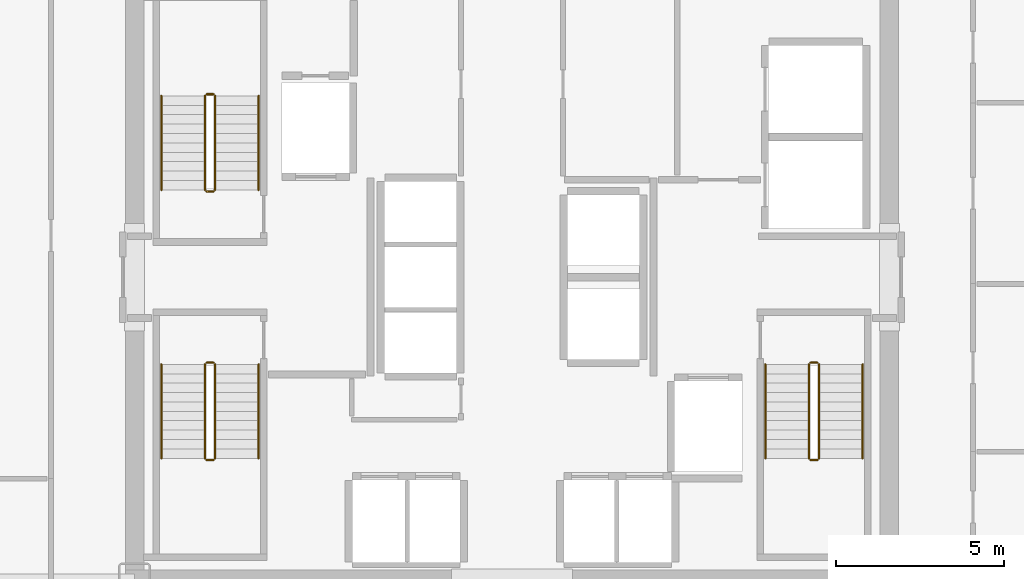
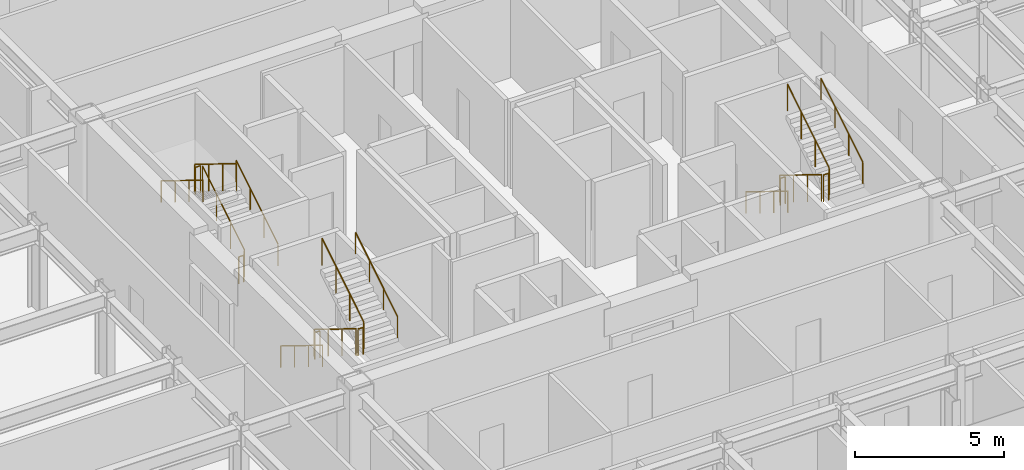
# One storey, part 23 of 23: 18 railings.
"""IFC4 building model written with IfcOpenShell, lengths in metres."""

from ifc_helpers import new_model, si_unit, direction, frame, origin, origin_2d, place, context, subcontext, project, spatial, circle, extrude, material, type_object, element, save


model = new_model("IFC4")

# Units and contexts
model_context = context("Model", 3, precision=1e-05, world=origin(), true_north=direction((0.0, 1.0)))
body_context = subcontext(model_context, "Body", "Model", "MODEL_VIEW")
ifc_project = project(units=[si_unit("LENGTHUNIT", "METRE"), si_unit("AREAUNIT", "SQUARE_METRE"), si_unit("VOLUMEUNIT", "CUBIC_METRE"), si_unit("PLANEANGLEUNIT", "RADIAN"), si_unit("MASSUNIT", "GRAM", prefix="KILO")], contexts=[model_context])

# Site, building, storey
site_placement = place(None, origin())
site = spatial("IfcSite", under=ifc_project, at=site_placement, CompositionType="ELEMENT")
building_placement = place(site_placement, origin())
building = spatial("IfcBuilding", under=site, at=building_placement, Name="Nefas-Gora Pilgrimage Tower", CompositionType="ELEMENT")
storey_placement = place(building_placement, frame((0.0, 0.0, 175.39990234375)))
storey = spatial("IfcBuildingStorey", under=building, at=storey_placement, Name="L43", CompositionType="ELEMENT", Elevation=175.39990234375)

# Railings
ifc_material_1 = material(Name="Painted galvanised steel", Category="steel")
railing_type_1 = type_object("IfcRailingType", Name="RLG-STR-GUARD-1100", PredefinedType="GUARDRAIL", material=ifc_material_1)
railing_1_placement = place(storey_placement, frame((-8.85009765625, 2.60009765625, 0.1728515625)))
element("IfcRailing", 1, at=railing_1_placement, inside=storey, type_object=railing_type_1, Name="L43 ST-01 stair guard 1", PredefinedType="GUARDRAIL", context=body_context, shape_type="SweptSolid", body=[
    extrude(circle(Radius=0.02392578125, at=origin_2d()), frame((0.0, 0.0, 1.09619140625), z_axis=(0.0, 0.851069175582, 0.525053576669), x_axis=(-1.0, 0.0, 0.0)), (0.0, 0.0, 1.0), 3.289794921875),
    extrude(circle(Radius=0.02099609375, at=origin_2d()), origin(), (0.0, 0.0, 1.0), 1.072021484375),
    extrude(circle(Radius=0.02099609375, at=origin_2d()), frame((0.0, 0.933349609375, 0.57568359375)), (0.0, 0.0, 1.0), 1.072021484375),
    extrude(circle(Radius=0.02099609375, at=origin_2d()), frame((0.0, 1.866455078125, 1.151611328125)), (0.0, 0.0, 1.0), 1.072021484375),
    extrude(circle(Radius=0.02099609375, at=origin_2d()), frame((0.0, 2.7998046875, 1.727294921875)), (0.0, 0.0, 1.0), 1.072021484375),
])
railing_2_placement = place(storey_placement, frame((-8.89990234375, 5.449951171875, 1.900146484375)))
element("IfcRailing", 2, at=railing_2_placement, inside=storey, type_object=railing_type_1, Name="L43 ST-01 stair guard 2", PredefinedType="GUARDRAIL", context=body_context, shape_type="SweptSolid", body=[
    extrude(circle(Radius=0.02392578125, at=origin_2d()), frame((0.0, 0.0, 1.09619140625), z_axis=(-1.0, 0.0, 0.0), x_axis=(0.0, -1.0, 0.0)), (0.0, 0.0, 1.0), 0.2001953125),
    extrude(circle(Radius=0.02099609375, at=origin_2d()), origin(), (0.0, 0.0, 1.0), 1.072021484375),
    extrude(circle(Radius=0.02099609375, at=origin_2d()), frame((-0.2001953125, 0.0, 0.0)), (0.0, 0.0, 1.0), 1.072021484375),
])
railing_3_placement = place(storey_placement, frame((-9.14990234375, 5.39990234375, 2.07275390625)))
element("IfcRailing", 3, at=railing_3_placement, inside=storey, type_object=railing_type_1, Name="L43 ST-01 stair guard 3", PredefinedType="GUARDRAIL", context=body_context, shape_type="SweptSolid", body=[
    extrude(circle(Radius=0.02392578125, at=origin_2d()), frame((0.0, 0.0, 1.09619140625), z_axis=(0.0, -0.851069175582, 0.525053576669), x_axis=(1.0, 0.0, 0.0)), (0.0, 0.0, 1.0), 3.289794921875),
    extrude(circle(Radius=0.02099609375, at=origin_2d()), origin(), (0.0, 0.0, 1.0), 1.072021484375),
    extrude(circle(Radius=0.02099609375, at=origin_2d()), frame((0.0, -0.933349609375, 0.57568359375)), (0.0, 0.0, 1.0), 1.072021484375),
    extrude(circle(Radius=0.02099609375, at=origin_2d()), frame((0.0, -1.866455078125, 1.151611328125)), (0.0, 0.0, 1.0), 1.072021484375),
    extrude(circle(Radius=0.02099609375, at=origin_2d()), frame((0.0, -2.7998046875, 1.727294921875)), (0.0, 0.0, 1.0), 1.072021484375),
])
railing_4_placement = place(storey_placement, frame((-8.89990234375, 2.550048828125, 0.0)))
element("IfcRailing", 4, at=railing_4_placement, inside=storey, type_object=railing_type_1, Name="L43 ST-01 stair guard 4", PredefinedType="GUARDRAIL", context=body_context, shape_type="SweptSolid", body=[
    extrude(circle(Radius=0.02392578125, at=origin_2d()), frame((0.0, 0.0, 1.09619140625), z_axis=(-1.0, 0.0, 0.0), x_axis=(0.0, -1.0, 0.0)), (0.0, 0.0, 1.0), 0.2001953125),
    extrude(circle(Radius=0.02099609375, at=origin_2d()), origin(), (0.0, 0.0, 1.0), 1.072021484375),
    extrude(circle(Radius=0.02099609375, at=origin_2d()), frame((-0.2001953125, 0.0, 0.0)), (0.0, 0.0, 1.0), 1.072021484375),
])
railing_5_placement = place(storey_placement, frame((8.85009765625, -2.60009765625, 0.1728515625)))
element("IfcRailing", 5, at=railing_5_placement, inside=storey, type_object=railing_type_1, Name="L43 ST-02 stair guard 1", PredefinedType="GUARDRAIL", context=body_context, shape_type="SweptSolid", body=[
    extrude(circle(Radius=0.02392578125, at=origin_2d()), frame((0.0, 0.0, 1.09619140625), z_axis=(0.0, -0.851069175582, 0.525053576669), x_axis=(1.0, 0.0, 0.0)), (0.0, 0.0, 1.0), 3.289794921875),
    extrude(circle(Radius=0.02099609375, at=origin_2d()), origin(), (0.0, 0.0, 1.0), 1.072021484375),
    extrude(circle(Radius=0.02099609375, at=origin_2d()), frame((0.0, -0.933349609375, 0.57568359375)), (0.0, 0.0, 1.0), 1.072021484375),
    extrude(circle(Radius=0.02099609375, at=origin_2d()), frame((0.0, -1.866455078125, 1.151611328125)), (0.0, 0.0, 1.0), 1.072021484375),
    extrude(circle(Radius=0.02099609375, at=origin_2d()), frame((0.0, -2.7998046875, 1.727294921875)), (0.0, 0.0, 1.0), 1.072021484375),
])
railing_6_placement = place(storey_placement, frame((8.89990234375, -5.449951171875, 1.900146484375)))
element("IfcRailing", 6, at=railing_6_placement, inside=storey, type_object=railing_type_1, Name="L43 ST-02 stair guard 2", PredefinedType="GUARDRAIL", context=body_context, shape_type="SweptSolid", body=[
    extrude(circle(Radius=0.02392578125, at=origin_2d()), frame((0.0, 0.0, 1.09619140625), z_axis=(1.0, 0.0, 0.0), x_axis=(0.0, 1.0, 0.0)), (0.0, 0.0, 1.0), 0.2001953125),
    extrude(circle(Radius=0.02099609375, at=origin_2d()), origin(), (0.0, 0.0, 1.0), 1.072021484375),
    extrude(circle(Radius=0.02099609375, at=origin_2d()), frame((0.2001953125, 0.0, 0.0)), (0.0, 0.0, 1.0), 1.072021484375),
])
railing_7_placement = place(storey_placement, frame((9.14990234375, -5.39990234375, 2.07275390625)))
element("IfcRailing", 7, at=railing_7_placement, inside=storey, type_object=railing_type_1, Name="L43 ST-02 stair guard 3", PredefinedType="GUARDRAIL", context=body_context, shape_type="SweptSolid", body=[
    extrude(circle(Radius=0.02392578125, at=origin_2d()), frame((0.0, 0.0, 1.09619140625), z_axis=(0.0, 0.851069175582, 0.525053576669), x_axis=(-1.0, 0.0, 0.0)), (0.0, 0.0, 1.0), 3.289794921875),
    extrude(circle(Radius=0.02099609375, at=origin_2d()), origin(), (0.0, 0.0, 1.0), 1.072021484375),
    extrude(circle(Radius=0.02099609375, at=origin_2d()), frame((0.0, 0.933349609375, 0.57568359375)), (0.0, 0.0, 1.0), 1.072021484375),
    extrude(circle(Radius=0.02099609375, at=origin_2d()), frame((0.0, 1.866455078125, 1.151611328125)), (0.0, 0.0, 1.0), 1.072021484375),
    extrude(circle(Radius=0.02099609375, at=origin_2d()), frame((0.0, 2.7998046875, 1.727294921875)), (0.0, 0.0, 1.0), 1.072021484375),
])
railing_8_placement = place(storey_placement, frame((8.89990234375, -2.550048828125, 0.0)))
element("IfcRailing", 8, at=railing_8_placement, inside=storey, type_object=railing_type_1, Name="L43 ST-02 stair guard 4", PredefinedType="GUARDRAIL", context=body_context, shape_type="SweptSolid", body=[
    extrude(circle(Radius=0.02392578125, at=origin_2d()), frame((0.0, 0.0, 1.09619140625), z_axis=(1.0, 0.0, 0.0), x_axis=(0.0, 1.0, 0.0)), (0.0, 0.0, 1.0), 0.2001953125),
    extrude(circle(Radius=0.02099609375, at=origin_2d()), origin(), (0.0, 0.0, 1.0), 1.072021484375),
    extrude(circle(Radius=0.02099609375, at=origin_2d()), frame((0.2001953125, 0.0, 0.0)), (0.0, 0.0, 1.0), 1.072021484375),
])
railing_9_placement = place(storey_placement, frame((-9.14990234375, -2.60009765625, 0.1728515625)))
element("IfcRailing", 9, at=railing_9_placement, inside=storey, type_object=railing_type_1, Name="L43 ST-03 stair guard 1", PredefinedType="GUARDRAIL", context=body_context, shape_type="SweptSolid", body=[
    extrude(circle(Radius=0.02392578125, at=origin_2d()), frame((0.0, 0.0, 1.09619140625), z_axis=(0.0, -0.851069175582, 0.525053576669), x_axis=(1.0, 0.0, 0.0)), (0.0, 0.0, 1.0), 3.289794921875),
    extrude(circle(Radius=0.02099609375, at=origin_2d()), origin(), (0.0, 0.0, 1.0), 1.072021484375),
    extrude(circle(Radius=0.02099609375, at=origin_2d()), frame((0.0, -0.933349609375, 0.57568359375)), (0.0, 0.0, 1.0), 1.072021484375),
    extrude(circle(Radius=0.02099609375, at=origin_2d()), frame((0.0, -1.866455078125, 1.151611328125)), (0.0, 0.0, 1.0), 1.072021484375),
    extrude(circle(Radius=0.02099609375, at=origin_2d()), frame((0.0, -2.7998046875, 1.727294921875)), (0.0, 0.0, 1.0), 1.072021484375),
])
railing_10_placement = place(storey_placement, frame((-9.10009765625, -5.449951171875, 1.900146484375)))
element("IfcRailing", 10, at=railing_10_placement, inside=storey, type_object=railing_type_1, Name="L43 ST-03 stair guard 2", PredefinedType="GUARDRAIL", context=body_context, shape_type="SweptSolid", body=[
    extrude(circle(Radius=0.02392578125, at=origin_2d()), frame((0.0, 0.0, 1.09619140625), z_axis=(1.0, 0.0, 0.0), x_axis=(0.0, 1.0, 0.0)), (0.0, 0.0, 1.0), 0.2001953125),
    extrude(circle(Radius=0.02099609375, at=origin_2d()), origin(), (0.0, 0.0, 1.0), 1.072021484375),
    extrude(circle(Radius=0.02099609375, at=origin_2d()), frame((0.2001953125, 0.0, 0.0)), (0.0, 0.0, 1.0), 1.072021484375),
])
railing_11_placement = place(storey_placement, frame((-8.85009765625, -5.39990234375, 2.07275390625)))
element("IfcRailing", 11, at=railing_11_placement, inside=storey, type_object=railing_type_1, Name="L43 ST-03 stair guard 3", PredefinedType="GUARDRAIL", context=body_context, shape_type="SweptSolid", body=[
    extrude(circle(Radius=0.02392578125, at=origin_2d()), frame((0.0, 0.0, 1.09619140625), z_axis=(0.0, 0.851069175582, 0.525053576669), x_axis=(-1.0, 0.0, 0.0)), (0.0, 0.0, 1.0), 3.289794921875),
    extrude(circle(Radius=0.02099609375, at=origin_2d()), origin(), (0.0, 0.0, 1.0), 1.072021484375),
    extrude(circle(Radius=0.02099609375, at=origin_2d()), frame((0.0, 0.933349609375, 0.57568359375)), (0.0, 0.0, 1.0), 1.072021484375),
    extrude(circle(Radius=0.02099609375, at=origin_2d()), frame((0.0, 1.866455078125, 1.151611328125)), (0.0, 0.0, 1.0), 1.072021484375),
    extrude(circle(Radius=0.02099609375, at=origin_2d()), frame((0.0, 2.7998046875, 1.727294921875)), (0.0, 0.0, 1.0), 1.072021484375),
])
railing_12_placement = place(storey_placement, frame((-9.10009765625, -2.550048828125, 0.0)))
element("IfcRailing", 12, at=railing_12_placement, inside=storey, type_object=railing_type_1, Name="L43 ST-03 stair guard 4", PredefinedType="GUARDRAIL", context=body_context, shape_type="SweptSolid", body=[
    extrude(circle(Radius=0.02392578125, at=origin_2d()), frame((0.0, 0.0, 1.09619140625), z_axis=(1.0, 0.0, 0.0), x_axis=(0.0, 1.0, 0.0)), (0.0, 0.0, 1.0), 0.2001953125),
    extrude(circle(Radius=0.02099609375, at=origin_2d()), origin(), (0.0, 0.0, 1.0), 1.072021484375),
    extrude(circle(Radius=0.02099609375, at=origin_2d()), frame((0.2001953125, 0.0, 0.0)), (0.0, 0.0, 1.0), 1.072021484375),
])
ifc_material_2 = material(Name="Brushed stainless steel", Category="steel")
railing_type_2 = type_object("IfcRailingType", Name="RLG-STR-HAND-900", PredefinedType="HANDRAIL", material=ifc_material_2)
railing_13_placement = place(storey_placement, frame((-7.550048828125, 2.60009765625, 0.1728515625)))
element("IfcRailing", 13, at=railing_13_placement, inside=storey, type_object=railing_type_2, Name="L43 ST-01 stair handrail 1", PredefinedType="HANDRAIL", context=body_context, shape_type="SweptSolid", body=[
    extrude(circle(Radius=0.02392578125, at=origin_2d()), frame((0.0, 0.0, 0.8759765625), z_axis=(0.0, 0.851069175582, 0.525053576669), x_axis=(-1.0, 0.0, 0.0)), (0.0, 0.0, 1.0), 3.289794921875),
    extrude(circle(Radius=0.02099609375, at=origin_2d()), origin(), (0.0, 0.0, 1.0), 0.851806640625),
    extrude(circle(Radius=0.02099609375, at=origin_2d()), frame((0.0, 0.933349609375, 0.57568359375)), (0.0, 0.0, 1.0), 0.851806640625),
    extrude(circle(Radius=0.02099609375, at=origin_2d()), frame((0.0, 1.866455078125, 1.151611328125)), (0.0, 0.0, 1.0), 0.851806640625),
    extrude(circle(Radius=0.02099609375, at=origin_2d()), frame((0.0, 2.7998046875, 1.727294921875)), (0.0, 0.0, 1.0), 0.851806640625),
])
for number, where, name in (
    (14, (-10.449951171875, 5.39990234375, 2.07275390625), "L43 ST-01 stair handrail 2"),
    (15, (7.550048828125, -2.60009765625, 0.1728515625), "L43 ST-02 stair handrail 1"),
):
    element("IfcRailing", number, at=place(storey_placement, frame(where)), inside=storey, type_object=railing_type_2, Name=name, PredefinedType="HANDRAIL", context=body_context, shape_type="SweptSolid", body=[
        extrude(circle(Radius=0.02392578125, at=origin_2d()), frame((0.0, 0.0, 0.8759765625), z_axis=(0.0, -0.851069175582, 0.525053576669), x_axis=(1.0, 0.0, 0.0)), (0.0, 0.0, 1.0), 3.289794921875),
        extrude(circle(Radius=0.02099609375, at=origin_2d()), origin(), (0.0, 0.0, 1.0), 0.851806640625),
        extrude(circle(Radius=0.02099609375, at=origin_2d()), frame((0.0, -0.933349609375, 0.57568359375)), (0.0, 0.0, 1.0), 0.851806640625),
        extrude(circle(Radius=0.02099609375, at=origin_2d()), frame((0.0, -1.866455078125, 1.151611328125)), (0.0, 0.0, 1.0), 0.851806640625),
        extrude(circle(Radius=0.02099609375, at=origin_2d()), frame((0.0, -2.7998046875, 1.727294921875)), (0.0, 0.0, 1.0), 0.851806640625),
    ])
railing_14_placement = place(storey_placement, frame((10.449951171875, -5.39990234375, 2.07275390625)))
element("IfcRailing", 16, at=railing_14_placement, inside=storey, type_object=railing_type_2, Name="L43 ST-02 stair handrail 2", PredefinedType="HANDRAIL", context=body_context, shape_type="SweptSolid", body=[
    extrude(circle(Radius=0.02392578125, at=origin_2d()), frame((0.0, 0.0, 0.8759765625), z_axis=(0.0, 0.851069175582, 0.525053576669), x_axis=(-1.0, 0.0, 0.0)), (0.0, 0.0, 1.0), 3.289794921875),
    extrude(circle(Radius=0.02099609375, at=origin_2d()), origin(), (0.0, 0.0, 1.0), 0.851806640625),
    extrude(circle(Radius=0.02099609375, at=origin_2d()), frame((0.0, 0.933349609375, 0.57568359375)), (0.0, 0.0, 1.0), 0.851806640625),
    extrude(circle(Radius=0.02099609375, at=origin_2d()), frame((0.0, 1.866455078125, 1.151611328125)), (0.0, 0.0, 1.0), 0.851806640625),
    extrude(circle(Radius=0.02099609375, at=origin_2d()), frame((0.0, 2.7998046875, 1.727294921875)), (0.0, 0.0, 1.0), 0.851806640625),
])
railing_15_placement = place(storey_placement, frame((-10.449951171875, -2.60009765625, 0.1728515625)))
element("IfcRailing", 17, at=railing_15_placement, inside=storey, type_object=railing_type_2, Name="L43 ST-03 stair handrail 1", PredefinedType="HANDRAIL", context=body_context, shape_type="SweptSolid", body=[
    extrude(circle(Radius=0.02392578125, at=origin_2d()), frame((0.0, 0.0, 0.8759765625), z_axis=(0.0, -0.851069175582, 0.525053576669), x_axis=(1.0, 0.0, 0.0)), (0.0, 0.0, 1.0), 3.289794921875),
    extrude(circle(Radius=0.02099609375, at=origin_2d()), origin(), (0.0, 0.0, 1.0), 0.851806640625),
    extrude(circle(Radius=0.02099609375, at=origin_2d()), frame((0.0, -0.933349609375, 0.57568359375)), (0.0, 0.0, 1.0), 0.851806640625),
    extrude(circle(Radius=0.02099609375, at=origin_2d()), frame((0.0, -1.866455078125, 1.151611328125)), (0.0, 0.0, 1.0), 0.851806640625),
    extrude(circle(Radius=0.02099609375, at=origin_2d()), frame((0.0, -2.7998046875, 1.727294921875)), (0.0, 0.0, 1.0), 0.851806640625),
])
railing_16_placement = place(storey_placement, frame((-7.550048828125, -5.39990234375, 2.07275390625)))
element("IfcRailing", 18, at=railing_16_placement, inside=storey, type_object=railing_type_2, Name="L43 ST-03 stair handrail 2", PredefinedType="HANDRAIL", context=body_context, shape_type="SweptSolid", body=[
    extrude(circle(Radius=0.02392578125, at=origin_2d()), frame((0.0, 0.0, 0.8759765625), z_axis=(0.0, 0.851069175582, 0.525053576669), x_axis=(-1.0, 0.0, 0.0)), (0.0, 0.0, 1.0), 3.289794921875),
    extrude(circle(Radius=0.02099609375, at=origin_2d()), origin(), (0.0, 0.0, 1.0), 0.851806640625),
    extrude(circle(Radius=0.02099609375, at=origin_2d()), frame((0.0, 0.933349609375, 0.57568359375)), (0.0, 0.0, 1.0), 0.851806640625),
    extrude(circle(Radius=0.02099609375, at=origin_2d()), frame((0.0, 1.866455078125, 1.151611328125)), (0.0, 0.0, 1.0), 0.851806640625),
    extrude(circle(Radius=0.02099609375, at=origin_2d()), frame((0.0, 2.7998046875, 1.727294921875)), (0.0, 0.0, 1.0), 0.851806640625),
])

save(model, "model.ifc")
